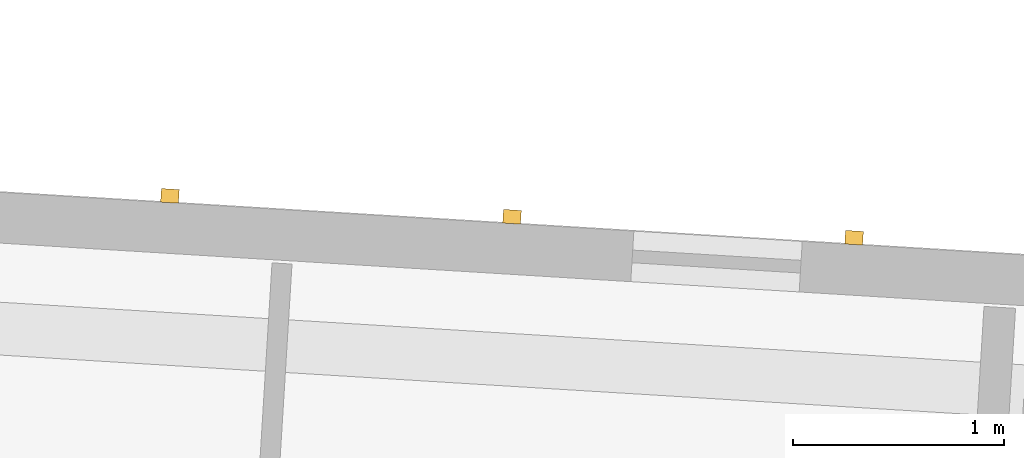
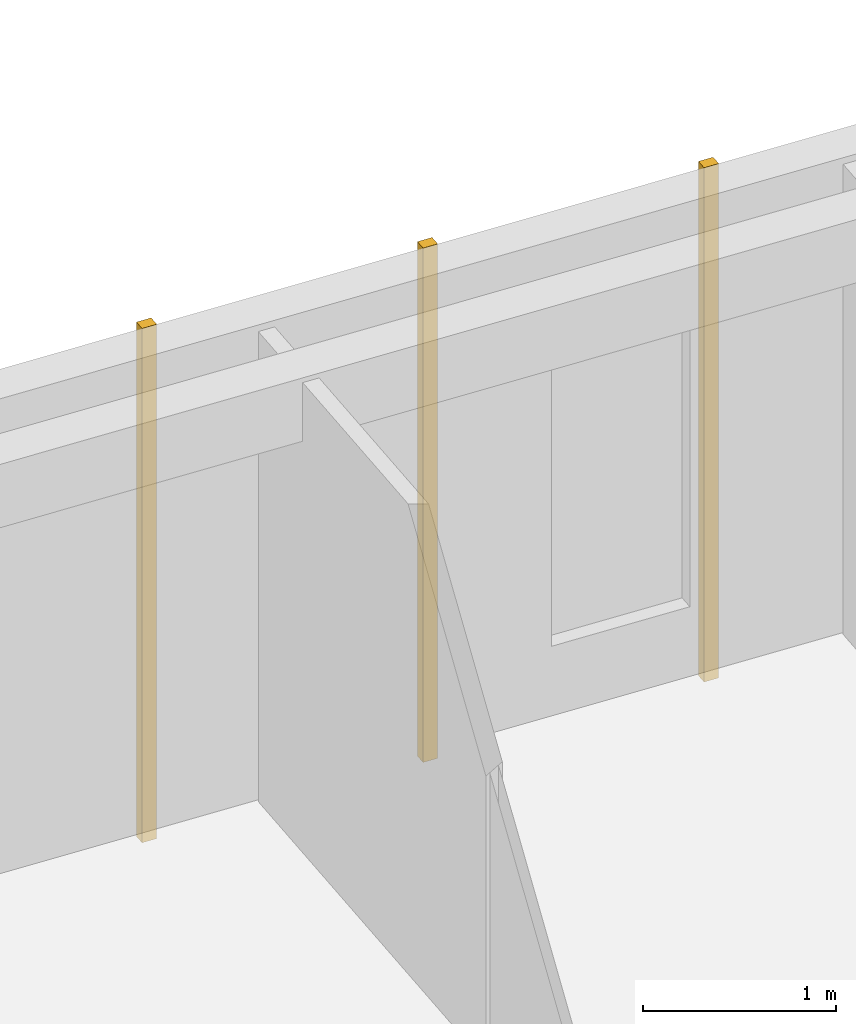
# One storey, part 115 of 127: 3 coverings.
"""IFC4 building model written with IfcOpenShell, lengths in metres."""

import ifcopenshell
import ifcopenshell.guid

model = None  # the IFC model being written
_history = None  # IfcOwnerHistory: only IFC2X3 demands one
_inside = {}  # id of a spatial element -> (the spatial element, [elements in it])
_under = {}  # id of a project, library or spatial element -> (it, [spatial elements below it])
_declared = {}  # id of a project -> (the project, [libraries it declares])
_typed = {}  # id of a type object -> (the type object, [elements of that type])
_made_of = {}  # id of a material, layer set ... -> (it, [elements and type objects made of it])


def new_model(schema):
    """Start an empty IFC model of exactly this schema.

    Asked for "IFC4X3", IfcOpenShell would pick the latest addendum, in which some entities
    have other attributes; the version numbers below select the first issue.
    IFC2X3 requires an IfcOwnerHistory on every rooted entity: one is made here for all.
    """
    global model, _history
    if schema == "IFC4X3":
        model = ifcopenshell.file(schema_version=(4, 3, 0, 0))
    else:
        model = ifcopenshell.file(schema=schema)
    _inside.clear()
    _under.clear()
    _declared.clear()
    _typed.clear()
    _made_of.clear()
    _history = None
    if model.schema == "IFC2X3":
        org = make("IfcOrganization", Name="unknown")
        user = make(
            "IfcPersonAndOrganization",
            ThePerson=make("IfcPerson", FamilyName="unknown"),
            TheOrganization=org,
        )
        app = make(
            "IfcApplication",
            ApplicationDeveloper=org,
            Version="unknown",
            ApplicationFullName="unknown",
            ApplicationIdentifier="unknown",
        )
        _history = make(
            "IfcOwnerHistory",
            OwningUser=user,
            OwningApplication=app,
            ChangeAction="ADDED",
            CreationDate=0,
        )
    return model


def make(cls, **values):
    """One entity of the class cls with the attributes given. An attribute that is None is left unset."""
    return model.create_entity(
        cls, **{name: value for name, value in values.items() if value is not None}
    )


def rooted(cls, **values):
    """An entity with a GlobalId (a new one), such as an element, a storey or a relation."""
    return make(cls, GlobalId=ifcopenshell.guid.new(), OwnerHistory=_history, **values)


def si_unit(unit_type, name, prefix=None):
    """IfcSIUnit, for example si_unit("LENGTHUNIT", "METRE", prefix="MILLI")."""
    return make("IfcSIUnit", UnitType=unit_type, Prefix=prefix, Name=name)


def assignment(units):
    """IfcUnitAssignment: the units of a project."""
    return None if units is None else make("IfcUnitAssignment", Units=units)


def point(xyz):
    """IfcCartesianPoint."""
    return None if xyz is None else make("IfcCartesianPoint", Coordinates=xyz)


def direction(xyz):
    """IfcDirection."""
    return None if xyz is None else make("IfcDirection", DirectionRatios=xyz)


def frame(location, z_axis=None, x_axis=None):
    """IfcAxis2Placement3D, a coordinate frame: its origin and axes. An axis left out is left unset."""
    return make(
        "IfcAxis2Placement3D",
        Location=point(location),
        Axis=direction(z_axis),
        RefDirection=direction(x_axis),
    )


def frame_2d(location, x_axis=None):
    """IfcAxis2Placement2D, a coordinate frame in the plane: its origin and x axis."""
    return make(
        "IfcAxis2Placement2D", Location=point(location), RefDirection=direction(x_axis)
    )


def origin():
    """The frame at (0, 0, 0) with its axes left unset."""
    return frame((0.0, 0.0, 0.0))


def origin_2d():
    """The frame at (0, 0) in the plane with its x axis left unset."""
    return frame_2d((0.0, 0.0))


def place(relative_to, where):
    """IfcLocalPlacement: puts the frame where relative to a parent placement (None: the world)."""
    return make(
        "IfcLocalPlacement", PlacementRelTo=relative_to, RelativePlacement=where
    )


def context(
    kind, dimensions, precision=None, world=None, true_north=None, identifier=None
):
    """IfcGeometricRepresentationContext, for example the 3D "Model" context."""
    return make(
        "IfcGeometricRepresentationContext",
        ContextIdentifier=identifier,
        ContextType=kind,
        CoordinateSpaceDimension=dimensions,
        Precision=precision,
        WorldCoordinateSystem=world,
        TrueNorth=true_north,
    )


def subcontext(parent, identifier, kind, view, scale=None):
    """IfcGeometricRepresentationSubContext, for example "Body" below "Model"."""
    return make(
        "IfcGeometricRepresentationSubContext",
        ContextIdentifier=identifier,
        ContextType=kind,
        ParentContext=parent,
        TargetScale=scale,
        TargetView=view,
    )


def project(units=None, contexts=None):
    """IfcProject with its units and contexts."""
    return rooted(
        "IfcProject",
        Name="project",
        RepresentationContexts=contexts,
        UnitsInContext=assignment(units),
    )


def spatial(cls, under=None, at=None, **own):
    """A site, building, storey or space (cls), placed at a placement, below another one or the project."""
    s = rooted(cls, ObjectPlacement=at, **own)
    if under is not None:
        _under.setdefault(under.id(), (under, []))[1].append(s)
    return s


def profile(cls, at=None, kind="AREA", **sizes):
    """A parametric profile (cls). Its sizes go by their IFC names, for example OverallWidth=200.0."""
    return make(cls, ProfileType=kind, Position=at, **sizes)


def rectangle(**sizes):
    """IfcRectangleProfileDef."""
    return profile("IfcRectangleProfileDef", **sizes)


def extrude(swept, where, along, depth):
    """IfcExtrudedAreaSolid: the profile swept, set in the frame where, extruded along a direction by depth."""
    return make(
        "IfcExtrudedAreaSolid",
        SweptArea=swept,
        Position=where,
        ExtrudedDirection=direction(along),
        Depth=depth,
    )


def shape(context_of_items, identifier, shape_type, items):
    """IfcShapeRepresentation: the items that make up one representation, for example the "Body"."""
    return make(
        "IfcShapeRepresentation",
        ContextOfItems=context_of_items,
        RepresentationIdentifier=identifier,
        RepresentationType=shape_type,
        Items=items,
    )


def material(Name=None, Category=None):
    """IfcMaterial."""
    return make("IfcMaterial", Name=Name, Category=Category)


def layer(
    of_material, thickness, ventilated=None, Name=None, Category=None, Priority=None
):
    """IfcMaterialLayer: one layer of a wall or slab, of a material (None: an air gap)."""
    return make(
        "IfcMaterialLayer",
        Material=of_material,
        LayerThickness=thickness,
        IsVentilated=ventilated,
        Name=Name,
        Category=Category,
        Priority=Priority,
    )


def layer_set(layers, Name=None):
    """IfcMaterialLayerSet."""
    return make("IfcMaterialLayerSet", MaterialLayers=layers, LayerSetName=Name)


def made_of(thing, what):
    """Note that an element or type object is made of a material, layer set ...; save() writes the relation."""
    if what is not None:
        _made_of.setdefault(what.id(), (what, []))[1].append(thing)
    return thing


def type_object(cls, material=None, **own):
    """A type object (cls), such as IfcWallType, which elements share."""
    return made_of(rooted(cls, **own), material)


def element(
    cls,
    number,
    at=None,
    inside=None,
    cuts=None,
    type_object=None,
    material=None,
    context=None,
    identifier="Body",
    shape_type=None,
    held_by="IfcProductDefinitionShape",
    body=None,
    shapes=None,
    **own,
):
    """One element of the class cls, such as IfcWall. Its Tag is "e" and its number.

    at: its placement. inside: the storey or other place that contains it. cuts: it is an
    opening in that element (IfcRelVoidsElement). A single representation is given by context,
    identifier, shape_type and body (its items); several are given by shapes. held_by: the class
    of the entity that holds the representations. save() writes the other relations.
    """
    e = rooted(cls, Tag="e%d" % number, ObjectPlacement=at, **own)
    if body is not None:
        shapes = [shape(context, identifier, shape_type, body)]
    if shapes is not None:
        e.Representation = make(held_by, Representations=shapes)
    if inside is not None:
        _inside.setdefault(inside.id(), (inside, []))[1].append(e)
    if cuts is not None:
        rooted(
            "IfcRelVoidsElement", RelatingBuildingElement=cuts, RelatedOpeningElement=e
        )
    if type_object is not None:
        _typed.setdefault(type_object.id(), (type_object, []))[1].append(e)
    return made_of(e, material)


def aggregate(whole, parts):
    """IfcRelAggregates: a whole, such as a stair, and the parts it consists of."""
    return rooted("IfcRelAggregates", RelatingObject=whole, RelatedObjects=parts)


def save(model, path):
    """Write the relations noted so far, then the file.

    IfcRelAggregates (storeys below a building ...), IfcRelContainedInSpatialStructure (elements
    in a storey), IfcRelDefinesByType, IfcRelAssociatesMaterial and IfcRelDeclares: one each for
    every whole, place, type object, material and project.
    """
    for whole, parts in _under.values():
        aggregate(whole, parts)
    for where, things in _inside.values():
        rooted(
            "IfcRelContainedInSpatialStructure",
            RelatedElements=things,
            RelatingStructure=where,
        )
    for kind, things in _typed.values():
        rooted("IfcRelDefinesByType", RelatedObjects=things, RelatingType=kind)
    for what, things in _made_of.values():
        rooted("IfcRelAssociatesMaterial", RelatedObjects=things, RelatingMaterial=what)
    for by, libraries in _declared.values():
        rooted("IfcRelDeclares", RelatingContext=by, RelatedDefinitions=libraries)
    model.write(path)


model = new_model("IFC4")

# Units and contexts
model_context = context("Model", 3, precision=1e-05, world=origin(), true_north=direction((0.0, 1.0)))
body_context = subcontext(model_context, "Body", "Model", "MODEL_VIEW")
ifc_project = project(units=[si_unit("LENGTHUNIT", "METRE"), si_unit("AREAUNIT", "SQUARE_METRE"), si_unit("VOLUMEUNIT", "CUBIC_METRE"), si_unit("PLANEANGLEUNIT", "RADIAN"), si_unit("MASSUNIT", "GRAM", prefix="KILO")], contexts=[model_context])

# Site, building, storey
site_placement = place(None, origin())
site = spatial("IfcSite", under=ifc_project, at=site_placement, CompositionType="ELEMENT")
building_placement = place(site_placement, origin())
building = spatial("IfcBuilding", under=site, at=building_placement, Name="Kestramere Prow Commons", CompositionType="ELEMENT")
storey_placement = place(building_placement, frame((0.0, 0.0, 8.39990234375)))
storey = spatial("IfcBuildingStorey", under=building, at=storey_placement, Name="L02", CompositionType="ELEMENT", Elevation=8.39990234375)

# Coverings
ifc_material = material(Name="Weathered Zinc-Titanium Standing-Seam Cladding")
ifc_layer = layer(ifc_material, 0.074951171875)
ifc_layer_set = layer_set([ifc_layer], Name="Weathered Zinc-Titanium Standing-Seam Cladding")
covering_type = type_object("IfcCoveringType", Name="COV-CLAD-SEAM", PredefinedType="CLADDING", material=ifc_layer_set)
for number, where, z_axis, x_axis, name in (
    (1, (101.910888671875, 64.221435546875, -0.25), (0.0, 0.0, 1.0), (0.998134798422, -0.061048539535, 0.0), "EW-C-L02-N-5 Standing-Seam Rib 2"),
    (2, (103.532958984375, 64.122314453125, -0.25), (0.0, 0.0, 1.0), (0.998134798422, -0.061048539535, 0.0), "EW-C-L02-N-5 Standing-Seam Rib 3"),
    (3, (105.155029296875, 64.02294921875, -0.25), (0.0, 0.0, 1.0), (0.998134798422, -0.061048539535, 0.0), "EW-C-L02-N-5 Standing-Seam Rib 4"),
):
    element("IfcCovering", number, at=place(storey_placement, frame(where, z_axis=z_axis, x_axis=x_axis)), inside=storey, type_object=covering_type, Name=name, PredefinedType="CLADDING", context=body_context, shape_type="SweptSolid", body=[
        extrude(rectangle(XDim=0.0849609375, YDim=0.06494140625, at=origin_2d()), origin(), (0.0, 0.0, 1.0), 3.25),
    ])

save(model, "model.ifc")
